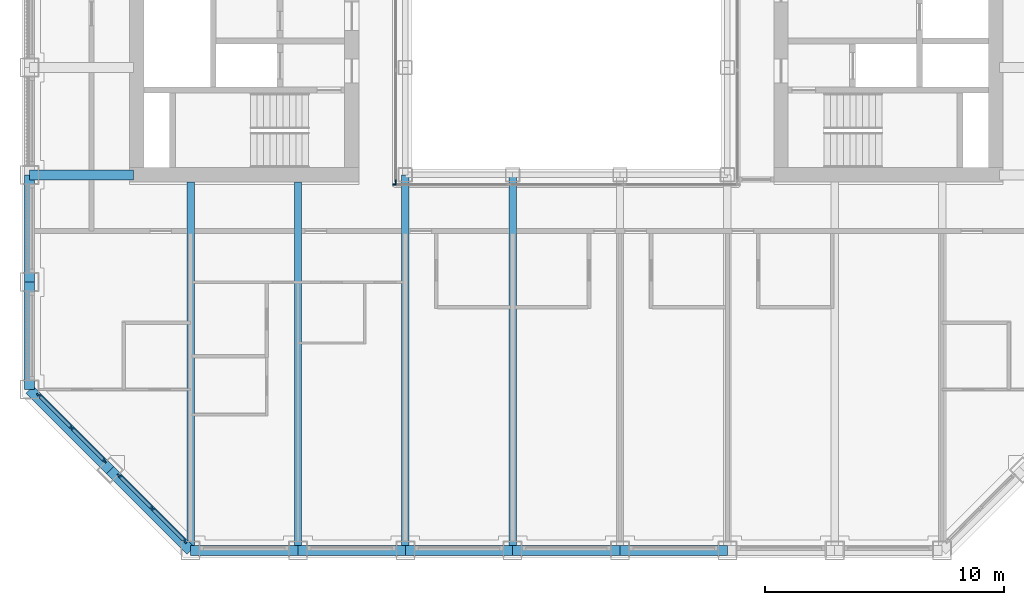
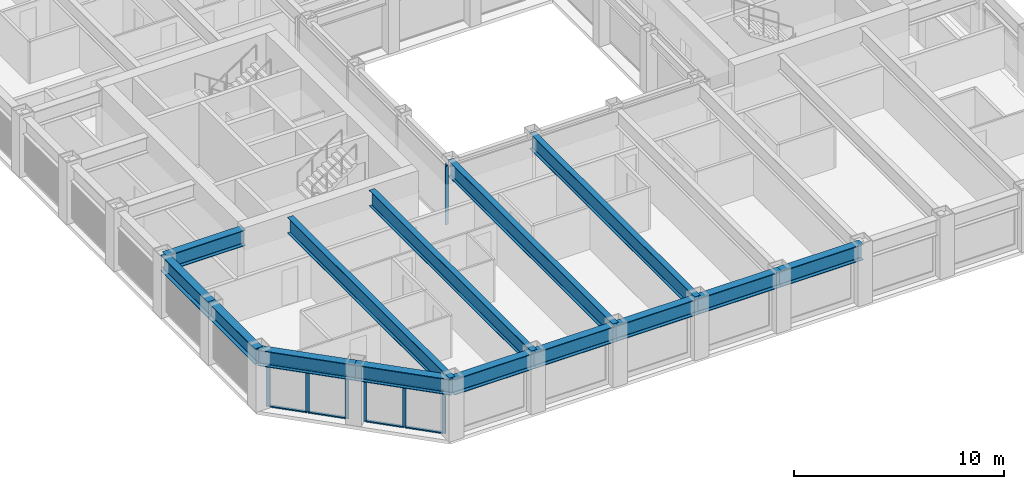
# One storey, part 2 of 18: 16 members, 14 beams, 4 elements without a shape of their own.
"""IFC4 building model written with IfcOpenShell, lengths in metres."""

from ifc_helpers import new_model, si_unit, direction, frame, origin, origin_2d, place, context, subcontext, project, spatial, rectangle, i_section, extrude, material, material_profile, profile_set, type_object, element, aggregate, save


model = new_model("IFC4")

# Units and contexts
model_context = context("Model", 3, precision=1e-05, world=origin(), true_north=direction((0.0, 1.0)))
body_context = subcontext(model_context, "Body", "Model", "MODEL_VIEW")
ifc_project = project(units=[si_unit("LENGTHUNIT", "METRE"), si_unit("AREAUNIT", "SQUARE_METRE"), si_unit("VOLUMEUNIT", "CUBIC_METRE"), si_unit("PLANEANGLEUNIT", "RADIAN"), si_unit("MASSUNIT", "GRAM", prefix="KILO")], contexts=[model_context])

# Site, building, storey
site_placement = place(None, origin())
site = spatial("IfcSite", under=ifc_project, at=site_placement, CompositionType="ELEMENT")
building_placement = place(site_placement, origin())
building = spatial("IfcBuilding", under=site, at=building_placement, Name="Msasa Ring Tower", CompositionType="ELEMENT")
storey_placement = place(building_placement, frame((0.0, 0.0, 183.199951171875)))
storey = spatial("IfcBuildingStorey", under=building, at=storey_placement, Name="L48", CompositionType="ELEMENT", Elevation=183.199951171875)

# Curtain wall, members
ifc_material_1 = material(Name="Aluminium curtain wall with clear glass", Category="aluminium")
curtain_wall_type_1 = type_object("IfcCurtainWallType", Name="CW-C CHAMFER CORNER CURTAIN WALL", PredefinedType="NOTDEFINED", material=ifc_material_1)
curtain_wall_1_placement = place(storey_placement, origin())
curtain_wall_1 = element("IfcCurtainWall", 1, at=curtain_wall_1_placement, inside=storey, type_object=curtain_wall_type_1, Name="Chamfer corner curtain wall SW L48", PredefinedType="NOTDEFINED")
ifc_material_2 = material(Name="Aluminium mullion", Category="aluminium")
ifc_material_profile_1 = material_profile(ifc_material_2, rectangle(XDim=0.06494140625, YDim=0.179931640625, at=origin_2d()), Name="AL 65x180")
ifc_profile_set_1 = profile_set([ifc_material_profile_1], Name="Aluminium mullion")
member_type_1 = type_object("IfcMemberType", Name="CW-C MULLION 65x180", PredefinedType="MULLION", material=ifc_profile_set_1)
member_1_placement = place(storey_placement, frame((-22.119873046875, -15.98876953125, 0.0), z_axis=(0.0, 0.0, 1.0), x_axis=(0.707106781187, 0.707106781187, 0.0)))
member_1 = element("IfcMember", 2, at=member_1_placement, type_object=member_type_1, Name="CW-C mullion 1", PredefinedType="MULLION", context=body_context, shape_type="SweptSolid", body=[
    extrude(rectangle(XDim=0.06494140625, YDim=0.179931640625, at=origin_2d()), origin(), (0.0, 0.0, 1.0), 2.47900390625),
])
member_2_placement = place(storey_placement, frame((-20.74169921875, -17.36669921875, 0.0), z_axis=(0.0, 0.0, 1.0), x_axis=(0.707106781187, 0.707106781187, 0.0)))
member_2 = element("IfcMember", 3, at=member_2_placement, type_object=member_type_1, Name="CW-C mullion 2", PredefinedType="MULLION", context=body_context, shape_type="SweptSolid", body=[
    extrude(rectangle(XDim=0.06494140625, YDim=0.179931640625, at=origin_2d()), origin(), (0.0, 0.0, 1.0), 2.47900390625),
])
member_3_placement = place(storey_placement, frame((-19.36376953125, -18.744873046875, 0.0), z_axis=(0.0, 0.0, 1.0), x_axis=(0.707106781187, 0.707106781187, 0.0)))
member_3 = element("IfcMember", 4, at=member_3_placement, type_object=member_type_1, Name="CW-C mullion 3", PredefinedType="MULLION", context=body_context, shape_type="SweptSolid", body=[
    extrude(rectangle(XDim=0.06494140625, YDim=0.179931640625, at=origin_2d()), origin(), (0.0, 0.0, 1.0), 2.47900390625),
])

curtain_wall_2_placement = place(storey_placement, origin())
curtain_wall_2 = element("IfcCurtainWall", 5, at=curtain_wall_2_placement, inside=storey, type_object=curtain_wall_type_1, Name="Chamfer corner curtain wall SW L48", PredefinedType="NOTDEFINED")
member_4_placement = place(storey_placement, frame((-18.744873046875, -19.36376953125, 0.0), z_axis=(0.0, 0.0, 1.0), x_axis=(0.707106781187, 0.707106781187, 0.0)))
member_4 = element("IfcMember", 6, at=member_4_placement, type_object=member_type_1, Name="CW-C mullion 1", PredefinedType="MULLION", context=body_context, shape_type="SweptSolid", body=[
    extrude(rectangle(XDim=0.06494140625, YDim=0.179931640625, at=origin_2d()), origin(), (0.0, 0.0, 1.0), 2.47900390625),
])
member_5_placement = place(storey_placement, frame((-17.36669921875, -20.74169921875, 0.0), z_axis=(0.0, 0.0, 1.0), x_axis=(0.707106781187, 0.707106781187, 0.0)))
member_5 = element("IfcMember", 7, at=member_5_placement, type_object=member_type_1, Name="CW-C mullion 2", PredefinedType="MULLION", context=body_context, shape_type="SweptSolid", body=[
    extrude(rectangle(XDim=0.06494140625, YDim=0.179931640625, at=origin_2d()), origin(), (0.0, 0.0, 1.0), 2.47900390625),
])
member_6_placement = place(storey_placement, frame((-15.98876953125, -22.119873046875, 0.0), z_axis=(0.0, 0.0, 1.0), x_axis=(0.707106781187, 0.707106781187, 0.0)))
member_6 = element("IfcMember", 8, at=member_6_placement, type_object=member_type_1, Name="CW-C mullion 3", PredefinedType="MULLION", context=body_context, shape_type="SweptSolid", body=[
    extrude(rectangle(XDim=0.06494140625, YDim=0.179931640625, at=origin_2d()), origin(), (0.0, 0.0, 1.0), 2.47900390625),
])

# Member
ifc_material_3 = material(Name="Aluminium transom", Category="aluminium")
ifc_material_profile_2 = material_profile(ifc_material_3, rectangle(XDim=0.139892578125, YDim=0.06494140625, at=origin_2d()), Name="AL 65x140")
ifc_profile_set_2 = profile_set([ifc_material_profile_2], Name="Aluminium transom")
member_type_2 = type_object("IfcMemberType", Name="CW-C TRANSOM 65x140", PredefinedType="USERDEFINED", material=ifc_profile_set_2)
member_7_placement = place(storey_placement, frame((-22.096923828125, -16.01171875, 0.032470703125), z_axis=(0.707106781187, -0.707106781187, 0.0), x_axis=(0.707106781187, 0.707106781187, 0.0)))
member_7 = element("IfcMember", 9, at=member_7_placement, type_object=member_type_2, Name="CW-C transom 1.1", ObjectType="TRANSOM", PredefinedType="USERDEFINED", context=body_context, shape_type="SweptSolid", body=[
    extrude(rectangle(XDim=0.139892578125, YDim=0.06494140625, at=origin_2d()), origin(), (0.0, 0.0, 1.0), 1.8837890625),
])

member_8_placement = place(storey_placement, frame((-22.096923828125, -16.01171875, 2.446533203125), z_axis=(0.707106781187, -0.707106781187, 0.0), x_axis=(0.707106781187, 0.707106781187, 0.0)))
member_8 = element("IfcMember", 10, at=member_8_placement, type_object=member_type_2, Name="CW-C transom 1.2", ObjectType="TRANSOM", PredefinedType="USERDEFINED", context=body_context, shape_type="SweptSolid", body=[
    extrude(rectangle(XDim=0.139892578125, YDim=0.06494140625, at=origin_2d()), origin(), (0.0, 0.0, 1.0), 1.8837890625),
])

member_9_placement = place(storey_placement, frame((-20.71875, -17.389892578125, 0.032470703125), z_axis=(0.707106781187, -0.707106781187, 0.0), x_axis=(0.707106781187, 0.707106781187, 0.0)))
member_9 = element("IfcMember", 11, at=member_9_placement, type_object=member_type_2, Name="CW-C transom 2.1", ObjectType="TRANSOM", PredefinedType="USERDEFINED", context=body_context, shape_type="SweptSolid", body=[
    extrude(rectangle(XDim=0.139892578125, YDim=0.06494140625, at=origin_2d()), origin(), (0.0, 0.0, 1.0), 1.8837890625),
])

member_10_placement = place(storey_placement, frame((-20.71875, -17.389892578125, 2.446533203125), z_axis=(0.707106781187, -0.707106781187, 0.0), x_axis=(0.707106781187, 0.707106781187, 0.0)))
member_10 = element("IfcMember", 12, at=member_10_placement, type_object=member_type_2, Name="CW-C transom 2.2", ObjectType="TRANSOM", PredefinedType="USERDEFINED", context=body_context, shape_type="SweptSolid", body=[
    extrude(rectangle(XDim=0.139892578125, YDim=0.06494140625, at=origin_2d()), origin(), (0.0, 0.0, 1.0), 1.8837890625),
])

aggregate(curtain_wall_1, [member_1, member_2, member_3, member_7, member_8, member_9, member_10])

member_11_placement = place(storey_placement, frame((-18.721923828125, -19.38671875, 0.032470703125), z_axis=(0.707106781187, -0.707106781187, 0.0), x_axis=(0.707106781187, 0.707106781187, 0.0)))
member_11 = element("IfcMember", 13, at=member_11_placement, type_object=member_type_2, Name="CW-C transom 1.1", ObjectType="TRANSOM", PredefinedType="USERDEFINED", context=body_context, shape_type="SweptSolid", body=[
    extrude(rectangle(XDim=0.139892578125, YDim=0.06494140625, at=origin_2d()), origin(), (0.0, 0.0, 1.0), 1.8837890625),
])

member_12_placement = place(storey_placement, frame((-18.721923828125, -19.38671875, 2.446533203125), z_axis=(0.707106781187, -0.707106781187, 0.0), x_axis=(0.707106781187, 0.707106781187, 0.0)))
member_12 = element("IfcMember", 14, at=member_12_placement, type_object=member_type_2, Name="CW-C transom 1.2", ObjectType="TRANSOM", PredefinedType="USERDEFINED", context=body_context, shape_type="SweptSolid", body=[
    extrude(rectangle(XDim=0.139892578125, YDim=0.06494140625, at=origin_2d()), origin(), (0.0, 0.0, 1.0), 1.8837890625),
])

member_13_placement = place(storey_placement, frame((-17.34375, -20.764892578125, 0.032470703125), z_axis=(0.707106781187, -0.707106781187, 0.0), x_axis=(0.707106781187, 0.707106781187, 0.0)))
member_13 = element("IfcMember", 15, at=member_13_placement, type_object=member_type_2, Name="CW-C transom 2.1", ObjectType="TRANSOM", PredefinedType="USERDEFINED", context=body_context, shape_type="SweptSolid", body=[
    extrude(rectangle(XDim=0.139892578125, YDim=0.06494140625, at=origin_2d()), origin(), (0.0, 0.0, 1.0), 1.8837890625),
])

member_14_placement = place(storey_placement, frame((-17.34375, -20.764892578125, 2.446533203125), z_axis=(0.707106781187, -0.707106781187, 0.0), x_axis=(0.707106781187, 0.707106781187, 0.0)))
member_14 = element("IfcMember", 16, at=member_14_placement, type_object=member_type_2, Name="CW-C transom 2.2", ObjectType="TRANSOM", PredefinedType="USERDEFINED", context=body_context, shape_type="SweptSolid", body=[
    extrude(rectangle(XDim=0.139892578125, YDim=0.06494140625, at=origin_2d()), origin(), (0.0, 0.0, 1.0), 1.8837890625),
])

aggregate(curtain_wall_2, [member_4, member_5, member_6, member_11, member_12, member_13, member_14])

# Curtain wall, member
ifc_material_4 = material(Name="Aluminium curtain wall with clear glass", Category="aluminium")
curtain_wall_type_2 = type_object("IfcCurtainWallType", Name="CW-W LIGHT WELL CURTAIN WALL", PredefinedType="NOTDEFINED", material=ifc_material_4)
curtain_wall_3_placement = place(storey_placement, origin())
curtain_wall_3 = element("IfcCurtainWall", 17, at=curtain_wall_3_placement, inside=storey, type_object=curtain_wall_type_2, Name="Light well curtain wall S L48", PredefinedType="NOTDEFINED")
ifc_material_5 = material(Name="Aluminium mullion", Category="aluminium")
ifc_material_profile_3 = material_profile(ifc_material_5, rectangle(XDim=0.06005859375, YDim=0.159912109375, at=origin_2d()), Name="AL 60x160")
ifc_profile_set_3 = profile_set([ifc_material_profile_3], Name="Aluminium mullion")
member_type_3 = type_object("IfcMemberType", Name="CW-W MULLION 60x160", PredefinedType="MULLION", material=ifc_profile_set_3)
member_15_placement = place(storey_placement, frame((-7.199951171875, -7.14990234375, 0.0), z_axis=(0.0, 0.0, 1.0), x_axis=(0.0, 1.0, 0.0)))
member_15 = element("IfcMember", 18, at=member_15_placement, type_object=member_type_3, Name="CW-W mullion 1", PredefinedType="MULLION", context=body_context, shape_type="SweptSolid", body=[
    extrude(rectangle(XDim=0.06005859375, YDim=0.159912109375, at=origin_2d()), origin(), (0.0, 0.0, 1.0), 3.400146484375),
])
aggregate(curtain_wall_3, [member_15])

curtain_wall_4_placement = place(storey_placement, origin())
curtain_wall_4 = element("IfcCurtainWall", 19, at=curtain_wall_4_placement, inside=storey, type_object=curtain_wall_type_2, Name="Light well curtain wall W L48", PredefinedType="NOTDEFINED")
member_16_placement = place(storey_placement, frame((-7.14990234375, -7.0400390625, 0.0), z_axis=(0.0, 0.0, 1.0), x_axis=(-1.0, 0.0, 0.0)))
member_16 = element("IfcMember", 20, at=member_16_placement, type_object=member_type_3, Name="CW-W mullion 1", PredefinedType="MULLION", context=body_context, shape_type="SweptSolid", body=[
    extrude(rectangle(XDim=0.06005859375, YDim=0.159912109375, at=origin_2d()), origin(), (0.0, 0.0, 1.0), 3.400146484375),
])
aggregate(curtain_wall_4, [member_16])

# Beams
ifc_material_6 = material(Name="Steel S355", Category="steel")
ifc_material_profile_4 = material_profile(ifc_material_6, i_section(OverallWidth=0.3076171875, OverallDepth=0.926513671875, WebThickness=0.01953125, FlangeThickness=0.031982421875, FilletRadius=0.01904296875, at=origin_2d()), Name="UB 914x305x289")
ifc_profile_set_4 = profile_set([ifc_material_profile_4], Name="Steel S355")
beam_type_1 = type_object("IfcBeamType", Name="FB3 UB 914x305x289", PredefinedType="BEAM", material=ifc_profile_set_4)
for number, where, z_axis, x_axis, name in (
    (21, (-15.75, -22.5, 2.936767578125), (0.0, 1.0, 0.0), (-1.0, 0.0, 0.0), "Floor beam S-15.75 under L49"),
    (22, (-11.25, -22.5, 2.936767578125), (0.0, 1.0, 0.0), (-1.0, 0.0, 0.0), "Floor beam S-11.25 under L49"),
):
    element("IfcBeam", number, at=place(storey_placement, frame(where, z_axis=z_axis, x_axis=x_axis)), inside=storey, type_object=beam_type_1, Name=name, PredefinedType="BEAM", context=body_context, shape_type="SweptSolid", body=[
        extrude(i_section(OverallWidth=0.3076171875, OverallDepth=0.926513671875, WebThickness=0.01953125, FlangeThickness=0.031982421875, FilletRadius=0.01904296875, at=origin_2d()), origin(), (0.0, 0.0, 1.0), 15.449951171875),
    ])
for number, where, z_axis, x_axis, name in (
    (23, (-6.75, -22.5, 2.936767578125), (0.0, 1.0, 0.0), (-1.0, 0.0, 0.0), "Floor beam S-6.75 under L49"),
    (24, (-2.25, -22.5, 2.936767578125), (0.0, 1.0, 0.0), (-1.0, 0.0, 0.0), "Floor beam S-2.25 under L49"),
):
    element("IfcBeam", number, at=place(storey_placement, frame(where, z_axis=z_axis, x_axis=x_axis)), inside=storey, type_object=beam_type_1, Name=name, PredefinedType="BEAM", context=body_context, shape_type="SweptSolid", body=[
        extrude(i_section(OverallWidth=0.3076171875, OverallDepth=0.926513671875, WebThickness=0.01953125, FlangeThickness=0.031982421875, FilletRadius=0.01904296875, at=origin_2d()), origin(), (0.0, 0.0, 1.0), 15.75),
    ])
ifc_material_7 = material(Name="Steel S355", Category="steel")
ifc_material_profile_5 = material_profile(ifc_material_7, i_section(OverallWidth=0.42041015625, OverallDepth=0.9208984375, WebThickness=0.021484375, FlangeThickness=0.03662109375, FilletRadius=0.024169921875, at=origin_2d()), Name="UB 914x419x388")
ifc_profile_set_5 = profile_set([ifc_material_profile_5], Name="Steel S355")
beam_type_2 = type_object("IfcBeamType", Name="GB1 UB 914x419x388", PredefinedType="BEAM", material=ifc_profile_set_5)
beam_placement = place(storey_placement, frame((-18.14990234375, -6.75, 2.939453125), z_axis=(-1.0, 0.0, 0.0), x_axis=(0.0, -1.0, 0.0)))
element("IfcBeam", 25, at=beam_placement, inside=storey, type_object=beam_type_2, Name="Girder W -6.75 under L49", PredefinedType="BEAM", context=body_context, shape_type="SweptSolid", body=[
    extrude(i_section(OverallWidth=0.42041015625, OverallDepth=0.9208984375, WebThickness=0.021484375, FlangeThickness=0.03662109375, FilletRadius=0.024169921875, at=origin_2d()), origin(), (0.0, 0.0, 1.0), 4.35009765625),
])
ifc_material_8 = material(Name="Steel S355", Category="steel")
ifc_material_profile_6 = material_profile(ifc_material_8, i_section(OverallWidth=0.42041015625, OverallDepth=0.9208984375, WebThickness=0.021484375, FlangeThickness=0.03662109375, FilletRadius=0.024169921875, at=origin_2d()), Name="UB 914x419x388")
ifc_profile_set_6 = profile_set([ifc_material_profile_6], Name="Steel S355")
beam_type_3 = type_object("IfcBeamType", Name="SB1 UB 914x419x388", PredefinedType="SPANDREL", material=ifc_profile_set_6)
for number, where, z_axis, x_axis, name in (
    (26, (-22.5, -6.75, 2.939453125), (0.0, -1.0, 0.0), (1.0, 0.0, 0.0), "Spandrel W-6.75 to W-11.25 under L49"),
    (27, (-22.5, -11.25, 2.939453125), (0.0, -1.0, 0.0), (1.0, 0.0, 0.0), "Spandrel W-11.25 to W-15.75 under L49"),
):
    element("IfcBeam", number, at=place(storey_placement, frame(where, z_axis=z_axis, x_axis=x_axis)), inside=storey, type_object=beam_type_3, Name=name, PredefinedType="SPANDREL", context=body_context, shape_type="SweptSolid", body=[
        extrude(i_section(OverallWidth=0.42041015625, OverallDepth=0.9208984375, WebThickness=0.021484375, FlangeThickness=0.03662109375, FilletRadius=0.024169921875, at=origin_2d()), origin(), (0.0, 0.0, 1.0), 4.5),
    ])
for number, where, z_axis, x_axis, name in (
    (28, (-22.5, -15.75, 2.939453125), (0.707106781187, -0.707106781187, 0.0), (0.707106781187, 0.707106781187, 0.0), "Spandrel W-15.75 to SW under L49"),
    (29, (-19.125, -19.125, 2.939453125), (0.707106781187, -0.707106781187, 0.0), (0.707106781187, 0.707106781187, 0.0), "Spandrel SW to S-15.75 under L49"),
):
    element("IfcBeam", number, at=place(storey_placement, frame(where, z_axis=z_axis, x_axis=x_axis)), inside=storey, type_object=beam_type_3, Name=name, PredefinedType="SPANDREL", context=body_context, shape_type="SweptSolid", body=[
        extrude(i_section(OverallWidth=0.42041015625, OverallDepth=0.9208984375, WebThickness=0.021484375, FlangeThickness=0.03662109375, FilletRadius=0.024169921875, at=origin_2d()), origin(), (0.0, 0.0, 1.0), 4.77294921875),
    ])
for number, where, z_axis, x_axis, name in (
    (30, (-15.75, -22.5, 2.939453125), (1.0, 0.0, 0.0), (0.0, 1.0, 0.0), "Spandrel S-15.75 to S-11.25 under L49"),
    (31, (-11.25, -22.5, 2.939453125), (1.0, 0.0, 0.0), (0.0, 1.0, 0.0), "Spandrel S-11.25 to S-6.75 under L49"),
    (32, (-6.75, -22.5, 2.939453125), (1.0, 0.0, 0.0), (0.0, 1.0, 0.0), "Spandrel S-6.75 to S-2.25 under L49"),
    (33, (-2.25, -22.5, 2.939453125), (1.0, 0.0, 0.0), (0.0, 1.0, 0.0), "Spandrel S-2.25 to S+2.25 under L49"),
    (34, (2.25, -22.5, 2.939453125), (1.0, 0.0, 0.0), (0.0, 1.0, 0.0), "Spandrel S+2.25 to S+6.75 under L49"),
):
    element("IfcBeam", number, at=place(storey_placement, frame(where, z_axis=z_axis, x_axis=x_axis)), inside=storey, type_object=beam_type_3, Name=name, PredefinedType="SPANDREL", context=body_context, shape_type="SweptSolid", body=[
        extrude(i_section(OverallWidth=0.42041015625, OverallDepth=0.9208984375, WebThickness=0.021484375, FlangeThickness=0.03662109375, FilletRadius=0.024169921875, at=origin_2d()), origin(), (0.0, 0.0, 1.0), 4.5),
    ])

save(model, "model.ifc")
